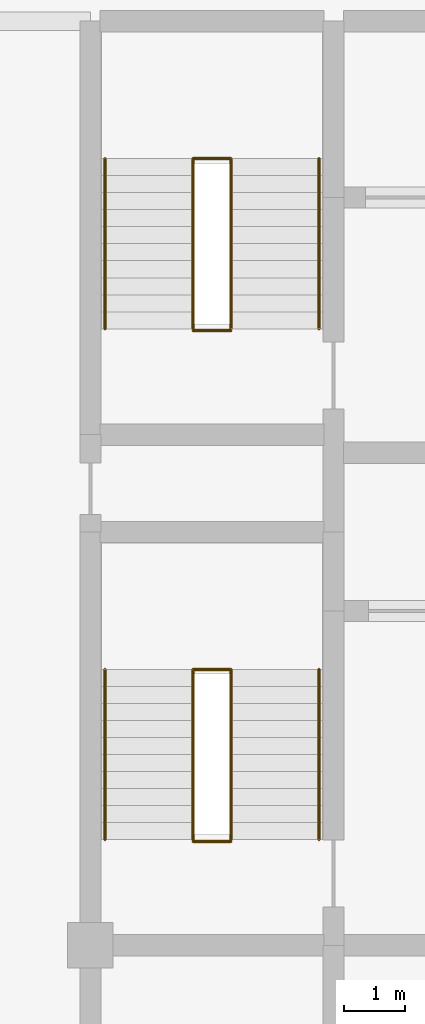
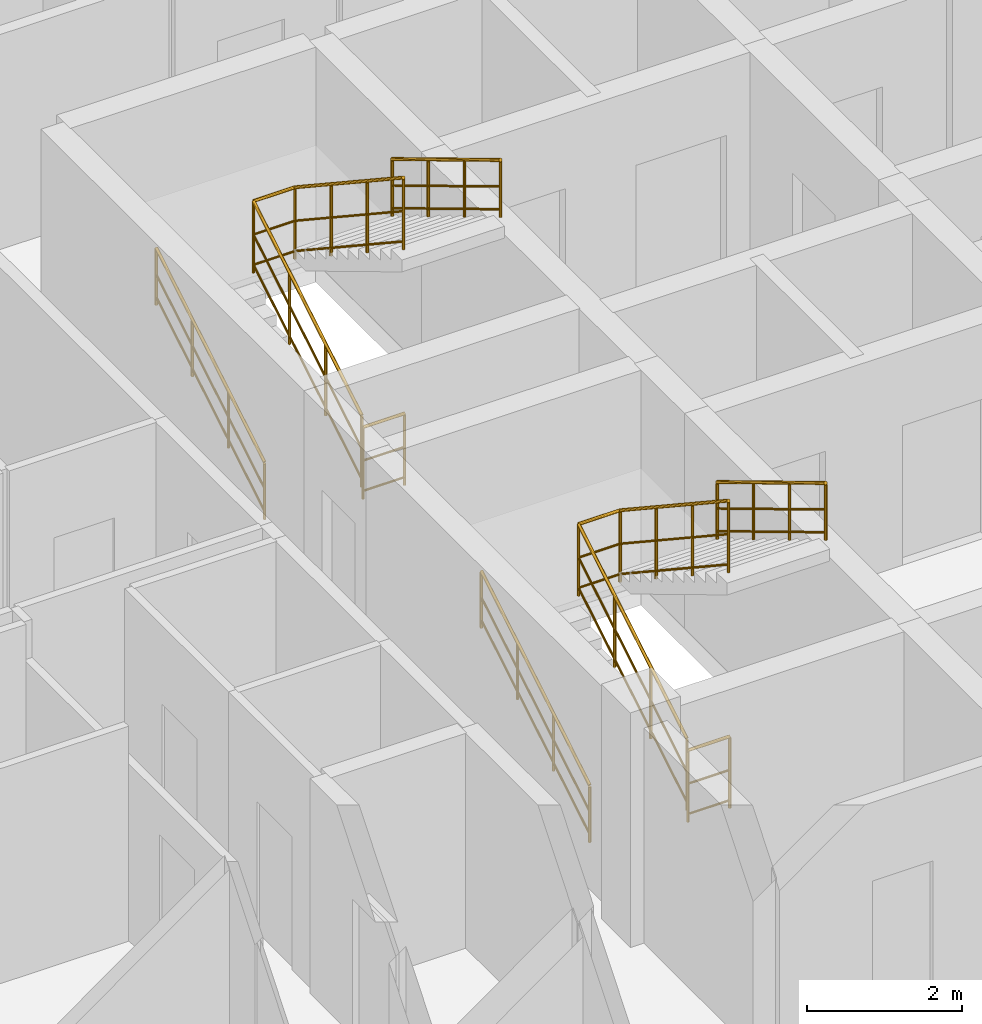
# One storey, part 31 of 31: 8 railings.
"""IFC4 building model written with IfcOpenShell, lengths in metres."""

import ifcopenshell
import ifcopenshell.guid

model = None  # the IFC model being written
_history = None  # IfcOwnerHistory: only IFC2X3 demands one
_inside = {}  # id of a spatial element -> (the spatial element, [elements in it])
_under = {}  # id of a project, library or spatial element -> (it, [spatial elements below it])
_declared = {}  # id of a project -> (the project, [libraries it declares])
_typed = {}  # id of a type object -> (the type object, [elements of that type])
_made_of = {}  # id of a material, layer set ... -> (it, [elements and type objects made of it])


def new_model(schema):
    """Start an empty IFC model of exactly this schema.

    Asked for "IFC4X3", IfcOpenShell would pick the latest addendum, in which some entities
    have other attributes; the version numbers below select the first issue.
    IFC2X3 requires an IfcOwnerHistory on every rooted entity: one is made here for all.
    """
    global model, _history
    if schema == "IFC4X3":
        model = ifcopenshell.file(schema_version=(4, 3, 0, 0))
    else:
        model = ifcopenshell.file(schema=schema)
    _inside.clear()
    _under.clear()
    _declared.clear()
    _typed.clear()
    _made_of.clear()
    _history = None
    if model.schema == "IFC2X3":
        org = make("IfcOrganization", Name="unknown")
        user = make(
            "IfcPersonAndOrganization",
            ThePerson=make("IfcPerson", FamilyName="unknown"),
            TheOrganization=org,
        )
        app = make(
            "IfcApplication",
            ApplicationDeveloper=org,
            Version="unknown",
            ApplicationFullName="unknown",
            ApplicationIdentifier="unknown",
        )
        _history = make(
            "IfcOwnerHistory",
            OwningUser=user,
            OwningApplication=app,
            ChangeAction="ADDED",
            CreationDate=0,
        )
    return model


def make(cls, **values):
    """One entity of the class cls with the attributes given. An attribute that is None is left unset."""
    return model.create_entity(
        cls, **{name: value for name, value in values.items() if value is not None}
    )


def rooted(cls, **values):
    """An entity with a GlobalId (a new one), such as an element, a storey or a relation."""
    return make(cls, GlobalId=ifcopenshell.guid.new(), OwnerHistory=_history, **values)


def si_unit(unit_type, name, prefix=None):
    """IfcSIUnit, for example si_unit("LENGTHUNIT", "METRE", prefix="MILLI")."""
    return make("IfcSIUnit", UnitType=unit_type, Prefix=prefix, Name=name)


def assignment(units):
    """IfcUnitAssignment: the units of a project."""
    return None if units is None else make("IfcUnitAssignment", Units=units)


def point(xyz):
    """IfcCartesianPoint."""
    return None if xyz is None else make("IfcCartesianPoint", Coordinates=xyz)


def direction(xyz):
    """IfcDirection."""
    return None if xyz is None else make("IfcDirection", DirectionRatios=xyz)


def frame(location, z_axis=None, x_axis=None):
    """IfcAxis2Placement3D, a coordinate frame: its origin and axes. An axis left out is left unset."""
    return make(
        "IfcAxis2Placement3D",
        Location=point(location),
        Axis=direction(z_axis),
        RefDirection=direction(x_axis),
    )


def frame_2d(location, x_axis=None):
    """IfcAxis2Placement2D, a coordinate frame in the plane: its origin and x axis."""
    return make(
        "IfcAxis2Placement2D", Location=point(location), RefDirection=direction(x_axis)
    )


def origin():
    """The frame at (0, 0, 0) with its axes left unset."""
    return frame((0.0, 0.0, 0.0))


def origin_2d():
    """The frame at (0, 0) in the plane with its x axis left unset."""
    return frame_2d((0.0, 0.0))


def place(relative_to, where):
    """IfcLocalPlacement: puts the frame where relative to a parent placement (None: the world)."""
    return make(
        "IfcLocalPlacement", PlacementRelTo=relative_to, RelativePlacement=where
    )


def context(
    kind, dimensions, precision=None, world=None, true_north=None, identifier=None
):
    """IfcGeometricRepresentationContext, for example the 3D "Model" context."""
    return make(
        "IfcGeometricRepresentationContext",
        ContextIdentifier=identifier,
        ContextType=kind,
        CoordinateSpaceDimension=dimensions,
        Precision=precision,
        WorldCoordinateSystem=world,
        TrueNorth=true_north,
    )


def subcontext(parent, identifier, kind, view, scale=None):
    """IfcGeometricRepresentationSubContext, for example "Body" below "Model"."""
    return make(
        "IfcGeometricRepresentationSubContext",
        ContextIdentifier=identifier,
        ContextType=kind,
        ParentContext=parent,
        TargetScale=scale,
        TargetView=view,
    )


def project(units=None, contexts=None):
    """IfcProject with its units and contexts."""
    return rooted(
        "IfcProject",
        Name="project",
        RepresentationContexts=contexts,
        UnitsInContext=assignment(units),
    )


def spatial(cls, under=None, at=None, **own):
    """A site, building, storey or space (cls), placed at a placement, below another one or the project."""
    s = rooted(cls, ObjectPlacement=at, **own)
    if under is not None:
        _under.setdefault(under.id(), (under, []))[1].append(s)
    return s


def profile(cls, at=None, kind="AREA", **sizes):
    """A parametric profile (cls). Its sizes go by their IFC names, for example OverallWidth=200.0."""
    return make(cls, ProfileType=kind, Position=at, **sizes)


def circle(**sizes):
    """IfcCircleProfileDef."""
    return profile("IfcCircleProfileDef", **sizes)


def extrude(swept, where, along, depth):
    """IfcExtrudedAreaSolid: the profile swept, set in the frame where, extruded along a direction by depth."""
    return make(
        "IfcExtrudedAreaSolid",
        SweptArea=swept,
        Position=where,
        ExtrudedDirection=direction(along),
        Depth=depth,
    )


def shape(context_of_items, identifier, shape_type, items):
    """IfcShapeRepresentation: the items that make up one representation, for example the "Body"."""
    return make(
        "IfcShapeRepresentation",
        ContextOfItems=context_of_items,
        RepresentationIdentifier=identifier,
        RepresentationType=shape_type,
        Items=items,
    )


def material(Name=None, Category=None):
    """IfcMaterial."""
    return make("IfcMaterial", Name=Name, Category=Category)


def layer(
    of_material, thickness, ventilated=None, Name=None, Category=None, Priority=None
):
    """IfcMaterialLayer: one layer of a wall or slab, of a material (None: an air gap)."""
    return make(
        "IfcMaterialLayer",
        Material=of_material,
        LayerThickness=thickness,
        IsVentilated=ventilated,
        Name=Name,
        Category=Category,
        Priority=Priority,
    )


def layer_set(layers, Name=None):
    """IfcMaterialLayerSet."""
    return make("IfcMaterialLayerSet", MaterialLayers=layers, LayerSetName=Name)


def made_of(thing, what):
    """Note that an element or type object is made of a material, layer set ...; save() writes the relation."""
    if what is not None:
        _made_of.setdefault(what.id(), (what, []))[1].append(thing)
    return thing


def type_object(cls, material=None, **own):
    """A type object (cls), such as IfcWallType, which elements share."""
    return made_of(rooted(cls, **own), material)


def element(
    cls,
    number,
    at=None,
    inside=None,
    cuts=None,
    type_object=None,
    material=None,
    context=None,
    identifier="Body",
    shape_type=None,
    held_by="IfcProductDefinitionShape",
    body=None,
    shapes=None,
    **own,
):
    """One element of the class cls, such as IfcWall. Its Tag is "e" and its number.

    at: its placement. inside: the storey or other place that contains it. cuts: it is an
    opening in that element (IfcRelVoidsElement). A single representation is given by context,
    identifier, shape_type and body (its items); several are given by shapes. held_by: the class
    of the entity that holds the representations. save() writes the other relations.
    """
    e = rooted(cls, Tag="e%d" % number, ObjectPlacement=at, **own)
    if body is not None:
        shapes = [shape(context, identifier, shape_type, body)]
    if shapes is not None:
        e.Representation = make(held_by, Representations=shapes)
    if inside is not None:
        _inside.setdefault(inside.id(), (inside, []))[1].append(e)
    if cuts is not None:
        rooted(
            "IfcRelVoidsElement", RelatingBuildingElement=cuts, RelatedOpeningElement=e
        )
    if type_object is not None:
        _typed.setdefault(type_object.id(), (type_object, []))[1].append(e)
    return made_of(e, material)


def aggregate(whole, parts):
    """IfcRelAggregates: a whole, such as a stair, and the parts it consists of."""
    return rooted("IfcRelAggregates", RelatingObject=whole, RelatedObjects=parts)


def save(model, path):
    """Write the relations noted so far, then the file.

    IfcRelAggregates (storeys below a building ...), IfcRelContainedInSpatialStructure (elements
    in a storey), IfcRelDefinesByType, IfcRelAssociatesMaterial and IfcRelDeclares: one each for
    every whole, place, type object, material and project.
    """
    for whole, parts in _under.values():
        aggregate(whole, parts)
    for where, things in _inside.values():
        rooted(
            "IfcRelContainedInSpatialStructure",
            RelatedElements=things,
            RelatingStructure=where,
        )
    for kind, things in _typed.values():
        rooted("IfcRelDefinesByType", RelatedObjects=things, RelatingType=kind)
    for what, things in _made_of.values():
        rooted("IfcRelAssociatesMaterial", RelatedObjects=things, RelatingMaterial=what)
    for by, libraries in _declared.values():
        rooted("IfcRelDeclares", RelatingContext=by, RelatedDefinitions=libraries)
    model.write(path)


model = new_model("IFC4")

# Units and contexts
model_context = context("Model", 3, precision=1e-05, world=origin(), true_north=direction((0.0, 1.0)))
body_context = subcontext(model_context, "Body", "Model", "MODEL_VIEW")
ifc_project = project(units=[si_unit("LENGTHUNIT", "METRE"), si_unit("AREAUNIT", "SQUARE_METRE"), si_unit("VOLUMEUNIT", "CUBIC_METRE"), si_unit("PLANEANGLEUNIT", "RADIAN"), si_unit("MASSUNIT", "GRAM", prefix="KILO")], contexts=[model_context])

# Site, building, storey
site_placement = place(None, origin())
site = spatial("IfcSite", under=ifc_project, at=site_placement, CompositionType="ELEMENT")
building_placement = place(site_placement, origin())
building = spatial("IfcBuilding", under=site, at=building_placement, Name="Keshet Zoharim Tower", CompositionType="ELEMENT")
storey_placement = place(building_placement, frame((0.0, 0.0, 276.89990234375)))
storey = spatial("IfcBuildingStorey", under=building, at=storey_placement, Name="L69", CompositionType="ELEMENT", Elevation=276.89990234375)

# Railings
ifc_material = material(Name="Steel S355", Category="steel")
ifc_layer_1 = layer(ifc_material, 0.050048828125)
ifc_layer_set_1 = layer_set([ifc_layer_1], Name="Steel S355")
railing_type_1 = type_object("IfcRailingType", Name="RL-HND-092", PredefinedType="HANDRAIL", material=ifc_layer_set_1)
railing_1_placement = place(storey_placement, frame((15.239990234375, 24.43994140625, 0.168212890625)))
element("IfcRailing", 1, at=railing_1_placement, inside=storey, type_object=railing_type_1, Name="L69 ST-01 Flight 1 Wall Handrail", PredefinedType="HANDRAIL", context=body_context, shape_type="SweptSolid", body=[
    extrude(circle(Radius=0.02392578125, at=origin_2d()), frame((0.0, 0.0, 0.89599609375), z_axis=(0.0, 0.857242210791, 0.514913383045), x_axis=(-1.0, 0.0, 0.0)), (0.0, 0.0, 1.0), 3.266357421875),
    extrude(circle(Radius=0.01611328125, at=origin_2d()), frame((0.0, 0.0, 0.478271484375), z_axis=(0.0, 0.857242210791, 0.514913383045), x_axis=(-1.0, 0.0, 0.0)), (0.0, 0.0, 1.0), 3.266357421875),
    extrude(circle(Radius=0.01611328125, at=origin_2d()), frame((0.0, 0.0, 0.1201171875), z_axis=(0.0, 0.857242210791, 0.514913383045), x_axis=(-1.0, 0.0, 0.0)), (0.0, 0.0, 1.0), 3.266357421875),
    extrude(circle(Radius=0.02099609375, at=origin_2d()), origin(), (0.0, 0.0, 1.0), 0.871826171875),
    extrude(circle(Radius=0.02099609375, at=origin_2d()), frame((0.0, 0.933349609375, 0.560546875)), (0.0, 0.0, 1.0), 0.871826171875),
    extrude(circle(Radius=0.02099609375, at=origin_2d()), frame((0.0, 1.86669921875, 1.121337890625)), (0.0, 0.0, 1.0), 0.871826171875),
    extrude(circle(Radius=0.02099609375, at=origin_2d()), frame((0.0, 2.800048828125, 1.681884765625)), (0.0, 0.0, 1.0), 0.871826171875),
])
railing_2_placement = place(storey_placement, frame((18.760009765625, 27.239990234375, 2.018310546875)))
element("IfcRailing", 2, at=railing_2_placement, inside=storey, type_object=railing_type_1, Name="L69 ST-01 Flight 2 Wall Handrail", PredefinedType="HANDRAIL", context=body_context, shape_type="SweptSolid", body=[
    extrude(circle(Radius=0.02392578125, at=origin_2d()), frame((0.0, 0.0, 0.89599609375), z_axis=(0.0, -0.857242210791, 0.514913383045), x_axis=(1.0, 0.0, 0.0)), (0.0, 0.0, 1.0), 3.266357421875),
    extrude(circle(Radius=0.01611328125, at=origin_2d()), frame((0.0, 0.0, 0.478271484375), z_axis=(0.0, -0.857242210791, 0.514913383045), x_axis=(1.0, 0.0, 0.0)), (0.0, 0.0, 1.0), 3.266357421875),
    extrude(circle(Radius=0.01611328125, at=origin_2d()), frame((0.0, 0.0, 0.1201171875), z_axis=(0.0, -0.857242210791, 0.514913383045), x_axis=(1.0, 0.0, 0.0)), (0.0, 0.0, 1.0), 3.266357421875),
    extrude(circle(Radius=0.02099609375, at=origin_2d()), origin(), (0.0, 0.0, 1.0), 0.871826171875),
    extrude(circle(Radius=0.02099609375, at=origin_2d()), frame((0.0, -0.933349609375, 0.560546875)), (0.0, 0.0, 1.0), 0.871826171875),
    extrude(circle(Radius=0.02099609375, at=origin_2d()), frame((0.0, -1.86669921875, 1.121337890625)), (0.0, 0.0, 1.0), 0.871826171875),
    extrude(circle(Radius=0.02099609375, at=origin_2d()), frame((0.0, -2.800048828125, 1.681884765625)), (0.0, 0.0, 1.0), 0.871826171875),
])
railing_3_placement = place(storey_placement, frame((15.239990234375, 32.840087890625, 0.168212890625)))
element("IfcRailing", 3, at=railing_3_placement, inside=storey, type_object=railing_type_1, Name="L69 ST-02 Flight 1 Wall Handrail", PredefinedType="HANDRAIL", context=body_context, shape_type="SweptSolid", body=[
    extrude(circle(Radius=0.02392578125, at=origin_2d()), frame((0.0, 0.0, 0.89599609375), z_axis=(0.0, 0.857222391501, 0.514946377315), x_axis=(-1.0, 0.0, 0.0)), (0.0, 0.0, 1.0), 3.26611328125),
    extrude(circle(Radius=0.01611328125, at=origin_2d()), frame((0.0, 0.0, 0.478271484375), z_axis=(0.0, 0.857222391501, 0.514946377315), x_axis=(-1.0, 0.0, 0.0)), (0.0, 0.0, 1.0), 3.26611328125),
    extrude(circle(Radius=0.01611328125, at=origin_2d()), frame((0.0, 0.0, 0.1201171875), z_axis=(0.0, 0.857222391501, 0.514946377315), x_axis=(-1.0, 0.0, 0.0)), (0.0, 0.0, 1.0), 3.26611328125),
    extrude(circle(Radius=0.02099609375, at=origin_2d()), origin(), (0.0, 0.0, 1.0), 0.871826171875),
    extrude(circle(Radius=0.02099609375, at=origin_2d()), frame((0.0, 0.933349609375, 0.560546875)), (0.0, 0.0, 1.0), 0.871826171875),
    extrude(circle(Radius=0.02099609375, at=origin_2d()), frame((0.0, 1.866455078125, 1.121337890625)), (0.0, 0.0, 1.0), 0.871826171875),
    extrude(circle(Radius=0.02099609375, at=origin_2d()), frame((0.0, 2.7998046875, 1.681884765625)), (0.0, 0.0, 1.0), 0.871826171875),
])
railing_4_placement = place(storey_placement, frame((18.760009765625, 35.639892578125, 2.018310546875)))
element("IfcRailing", 4, at=railing_4_placement, inside=storey, type_object=railing_type_1, Name="L69 ST-02 Flight 2 Wall Handrail", PredefinedType="HANDRAIL", context=body_context, shape_type="SweptSolid", body=[
    extrude(circle(Radius=0.02392578125, at=origin_2d()), frame((0.0, 0.0, 0.89599609375), z_axis=(0.0, -0.857222391501, 0.514946377315), x_axis=(1.0, 0.0, 0.0)), (0.0, 0.0, 1.0), 3.26611328125),
    extrude(circle(Radius=0.01611328125, at=origin_2d()), frame((0.0, 0.0, 0.478271484375), z_axis=(0.0, -0.857222391501, 0.514946377315), x_axis=(1.0, 0.0, 0.0)), (0.0, 0.0, 1.0), 3.26611328125),
    extrude(circle(Radius=0.01611328125, at=origin_2d()), frame((0.0, 0.0, 0.1201171875), z_axis=(0.0, -0.857222391501, 0.514946377315), x_axis=(1.0, 0.0, 0.0)), (0.0, 0.0, 1.0), 3.26611328125),
    extrude(circle(Radius=0.02099609375, at=origin_2d()), origin(), (0.0, 0.0, 1.0), 0.871826171875),
    extrude(circle(Radius=0.02099609375, at=origin_2d()), frame((0.0, -0.933349609375, 0.560546875)), (0.0, 0.0, 1.0), 0.871826171875),
    extrude(circle(Radius=0.02099609375, at=origin_2d()), frame((0.0, -1.866455078125, 1.121337890625)), (0.0, 0.0, 1.0), 0.871826171875),
    extrude(circle(Radius=0.02099609375, at=origin_2d()), frame((0.0, -2.7998046875, 1.681884765625)), (0.0, 0.0, 1.0), 0.871826171875),
])
ifc_layer_2 = layer(ifc_material, 0.06005859375)
ifc_layer_set_2 = layer_set([ifc_layer_2], Name="Steel S355")
railing_type_2 = type_object("IfcRailingType", Name="RL-STG-115", PredefinedType="GUARDRAIL", material=ifc_layer_set_2)
railing_5_placement = place(storey_placement, frame((16.68994140625, 24.43994140625, 0.168212890625)))
element("IfcRailing", 5, at=railing_5_placement, inside=storey, type_object=railing_type_2, Name="L69 ST-01 Inner Well Guardrail", PredefinedType="GUARDRAIL", context=body_context, shape_type="SweptSolid", body=[
    extrude(circle(Radius=0.02392578125, at=origin_2d()), frame((0.0, 0.0, 1.1259765625), z_axis=(0.0, 0.857242210791, 0.514913383045), x_axis=(-1.0, 0.0, 0.0)), (0.0, 0.0, 1.0), 3.266357421875),
    extrude(circle(Radius=0.01611328125, at=origin_2d()), frame((0.0, 0.0, 0.597900390625), z_axis=(0.0, 0.857242210791, 0.514913383045), x_axis=(-1.0, 0.0, 0.0)), (0.0, 0.0, 1.0), 3.266357421875),
    extrude(circle(Radius=0.01611328125, at=origin_2d()), frame((0.0, 0.0, 0.1201171875), z_axis=(0.0, 0.857242210791, 0.514913383045), x_axis=(-1.0, 0.0, 0.0)), (0.0, 0.0, 1.0), 3.266357421875),
    extrude(circle(Radius=0.02392578125, at=origin_2d()), frame((0.0, 2.800048828125, 2.8076171875), z_axis=(1.0, 0.0, 0.0), x_axis=(0.0, 1.0, 0.0)), (0.0, 0.0, 1.0), 0.6201171875),
    extrude(circle(Radius=0.01611328125, at=origin_2d()), frame((0.0, 2.800048828125, 2.27978515625), z_axis=(1.0, 0.0, 0.0), x_axis=(0.0, 1.0, 0.0)), (0.0, 0.0, 1.0), 0.6201171875),
    extrude(circle(Radius=0.01611328125, at=origin_2d()), frame((0.0, 2.800048828125, 1.802001953125), z_axis=(1.0, 0.0, 0.0), x_axis=(0.0, 1.0, 0.0)), (0.0, 0.0, 1.0), 0.6201171875),
    extrude(circle(Radius=0.02392578125, at=origin_2d()), frame((0.6201171875, 2.800048828125, 2.8076171875), z_axis=(0.0, -0.834326358476, 0.551270829586), x_axis=(1.0, 0.0, 0.0)), (0.0, 0.0, 1.0), 3.35595703125),
    extrude(circle(Radius=0.01611328125, at=origin_2d()), frame((0.6201171875, 2.800048828125, 2.27978515625), z_axis=(0.0, -0.834326358476, 0.551270829586), x_axis=(1.0, 0.0, 0.0)), (0.0, 0.0, 1.0), 3.35595703125),
    extrude(circle(Radius=0.01611328125, at=origin_2d()), frame((0.6201171875, 2.800048828125, 1.802001953125), z_axis=(0.0, -0.834326358476, 0.551270829586), x_axis=(1.0, 0.0, 0.0)), (0.0, 0.0, 1.0), 3.35595703125),
    extrude(circle(Radius=0.02099609375, at=origin_2d()), origin(), (0.0, 0.0, 1.0), 1.101806640625),
    extrude(circle(Radius=0.02099609375, at=origin_2d()), frame((0.0, 0.933349609375, 0.560546875)), (0.0, 0.0, 1.0), 1.101806640625),
    extrude(circle(Radius=0.02099609375, at=origin_2d()), frame((0.0, 1.86669921875, 1.121337890625)), (0.0, 0.0, 1.0), 1.101806640625),
    extrude(circle(Radius=0.02099609375, at=origin_2d()), frame((0.0, 2.800048828125, 1.681884765625)), (0.0, 0.0, 1.0), 1.101806640625),
    extrude(circle(Radius=0.02099609375, at=origin_2d()), frame((0.6201171875, 2.800048828125, 1.681884765625)), (0.0, 0.0, 1.0), 1.101806640625),
    extrude(circle(Radius=0.02099609375, at=origin_2d()), frame((0.6201171875, 1.86669921875, 2.298583984375)), (0.0, 0.0, 1.0), 1.101806640625),
    extrude(circle(Radius=0.02099609375, at=origin_2d()), frame((0.6201171875, 0.933349609375, 2.915283203125)), (0.0, 0.0, 1.0), 1.101806640625),
    extrude(circle(Radius=0.02099609375, at=origin_2d()), frame((0.6201171875, 0.0, 3.531982421875)), (0.0, 0.0, 1.0), 1.101806640625),
])
railing_6_placement = place(storey_placement, frame((16.68994140625, 24.409912109375, 0.0)))
element("IfcRailing", 6, at=railing_6_placement, inside=storey, type_object=railing_type_2, Name="L69 ST-01 Stairwell Floor Guardrail", PredefinedType="GUARDRAIL", context=body_context, shape_type="SweptSolid", body=[
    extrude(circle(Radius=0.02392578125, at=origin_2d()), frame((0.0, 0.0, 1.1259765625), z_axis=(1.0, 0.0, 0.0), x_axis=(0.0, 1.0, 0.0)), (0.0, 0.0, 1.0), 0.6201171875),
    extrude(circle(Radius=0.01611328125, at=origin_2d()), frame((0.0, 0.0, 0.597900390625), z_axis=(1.0, 0.0, 0.0), x_axis=(0.0, 1.0, 0.0)), (0.0, 0.0, 1.0), 0.6201171875),
    extrude(circle(Radius=0.01611328125, at=origin_2d()), frame((0.0, 0.0, 0.1201171875), z_axis=(1.0, 0.0, 0.0), x_axis=(0.0, 1.0, 0.0)), (0.0, 0.0, 1.0), 0.6201171875),
    extrude(circle(Radius=0.02099609375, at=origin_2d()), origin(), (0.0, 0.0, 1.0), 1.101806640625),
    extrude(circle(Radius=0.02099609375, at=origin_2d()), frame((0.6201171875, 0.0, 0.0)), (0.0, 0.0, 1.0), 1.101806640625),
])
railing_7_placement = place(storey_placement, frame((16.68994140625, 32.840087890625, 0.168212890625)))
element("IfcRailing", 7, at=railing_7_placement, inside=storey, type_object=railing_type_2, Name="L69 ST-02 Inner Well Guardrail", PredefinedType="GUARDRAIL", context=body_context, shape_type="SweptSolid", body=[
    extrude(circle(Radius=0.02392578125, at=origin_2d()), frame((0.0, 0.0, 1.1259765625), z_axis=(0.0, 0.857222391501, 0.514946377315), x_axis=(-1.0, 0.0, 0.0)), (0.0, 0.0, 1.0), 3.26611328125),
    extrude(circle(Radius=0.01611328125, at=origin_2d()), frame((0.0, 0.0, 0.597900390625), z_axis=(0.0, 0.857222391501, 0.514946377315), x_axis=(-1.0, 0.0, 0.0)), (0.0, 0.0, 1.0), 3.26611328125),
    extrude(circle(Radius=0.01611328125, at=origin_2d()), frame((0.0, 0.0, 0.1201171875), z_axis=(0.0, 0.857222391501, 0.514946377315), x_axis=(-1.0, 0.0, 0.0)), (0.0, 0.0, 1.0), 3.26611328125),
    extrude(circle(Radius=0.02392578125, at=origin_2d()), frame((0.0, 2.7998046875, 2.8076171875), z_axis=(1.0, 0.0, 0.0), x_axis=(0.0, 1.0, 0.0)), (0.0, 0.0, 1.0), 0.6201171875),
    extrude(circle(Radius=0.01611328125, at=origin_2d()), frame((0.0, 2.7998046875, 2.27978515625), z_axis=(1.0, 0.0, 0.0), x_axis=(0.0, 1.0, 0.0)), (0.0, 0.0, 1.0), 0.6201171875),
    extrude(circle(Radius=0.01611328125, at=origin_2d()), frame((0.0, 2.7998046875, 1.802001953125), z_axis=(1.0, 0.0, 0.0), x_axis=(0.0, 1.0, 0.0)), (0.0, 0.0, 1.0), 0.6201171875),
    extrude(circle(Radius=0.02392578125, at=origin_2d()), frame((0.6201171875, 2.7998046875, 2.8076171875), z_axis=(0.0, -0.834304248922, 0.551304290053), x_axis=(1.0, 0.0, 0.0)), (0.0, 0.0, 1.0), 3.35595703125),
    extrude(circle(Radius=0.01611328125, at=origin_2d()), frame((0.6201171875, 2.7998046875, 2.27978515625), z_axis=(0.0, -0.834304248922, 0.551304290053), x_axis=(1.0, 0.0, 0.0)), (0.0, 0.0, 1.0), 3.35595703125),
    extrude(circle(Radius=0.01611328125, at=origin_2d()), frame((0.6201171875, 2.7998046875, 1.802001953125), z_axis=(0.0, -0.834304248922, 0.551304290053), x_axis=(1.0, 0.0, 0.0)), (0.0, 0.0, 1.0), 3.35595703125),
    extrude(circle(Radius=0.02099609375, at=origin_2d()), origin(), (0.0, 0.0, 1.0), 1.101806640625),
    extrude(circle(Radius=0.02099609375, at=origin_2d()), frame((0.0, 0.933349609375, 0.560546875)), (0.0, 0.0, 1.0), 1.101806640625),
    extrude(circle(Radius=0.02099609375, at=origin_2d()), frame((0.0, 1.866455078125, 1.121337890625)), (0.0, 0.0, 1.0), 1.101806640625),
    extrude(circle(Radius=0.02099609375, at=origin_2d()), frame((0.0, 2.7998046875, 1.681884765625)), (0.0, 0.0, 1.0), 1.101806640625),
    extrude(circle(Radius=0.02099609375, at=origin_2d()), frame((0.6201171875, 2.7998046875, 1.681884765625)), (0.0, 0.0, 1.0), 1.101806640625),
    extrude(circle(Radius=0.02099609375, at=origin_2d()), frame((0.6201171875, 1.866455078125, 2.298583984375)), (0.0, 0.0, 1.0), 1.101806640625),
    extrude(circle(Radius=0.02099609375, at=origin_2d()), frame((0.6201171875, 0.933349609375, 2.915283203125)), (0.0, 0.0, 1.0), 1.101806640625),
    extrude(circle(Radius=0.02099609375, at=origin_2d()), frame((0.6201171875, 0.0, 3.531982421875)), (0.0, 0.0, 1.0), 1.101806640625),
])
railing_8_placement = place(storey_placement, frame((16.68994140625, 32.81005859375, 0.0)))
element("IfcRailing", 8, at=railing_8_placement, inside=storey, type_object=railing_type_2, Name="L69 ST-02 Stairwell Floor Guardrail", PredefinedType="GUARDRAIL", context=body_context, shape_type="SweptSolid", body=[
    extrude(circle(Radius=0.02392578125, at=origin_2d()), frame((0.0, 0.0, 1.1259765625), z_axis=(1.0, 0.0, 0.0), x_axis=(0.0, 1.0, 0.0)), (0.0, 0.0, 1.0), 0.6201171875),
    extrude(circle(Radius=0.01611328125, at=origin_2d()), frame((0.0, 0.0, 0.597900390625), z_axis=(1.0, 0.0, 0.0), x_axis=(0.0, 1.0, 0.0)), (0.0, 0.0, 1.0), 0.6201171875),
    extrude(circle(Radius=0.01611328125, at=origin_2d()), frame((0.0, 0.0, 0.1201171875), z_axis=(1.0, 0.0, 0.0), x_axis=(0.0, 1.0, 0.0)), (0.0, 0.0, 1.0), 0.6201171875),
    extrude(circle(Radius=0.02099609375, at=origin_2d()), origin(), (0.0, 0.0, 1.0), 1.101806640625),
    extrude(circle(Radius=0.02099609375, at=origin_2d()), frame((0.6201171875, 0.0, 0.0)), (0.0, 0.0, 1.0), 1.101806640625),
])

save(model, "model.ifc")
